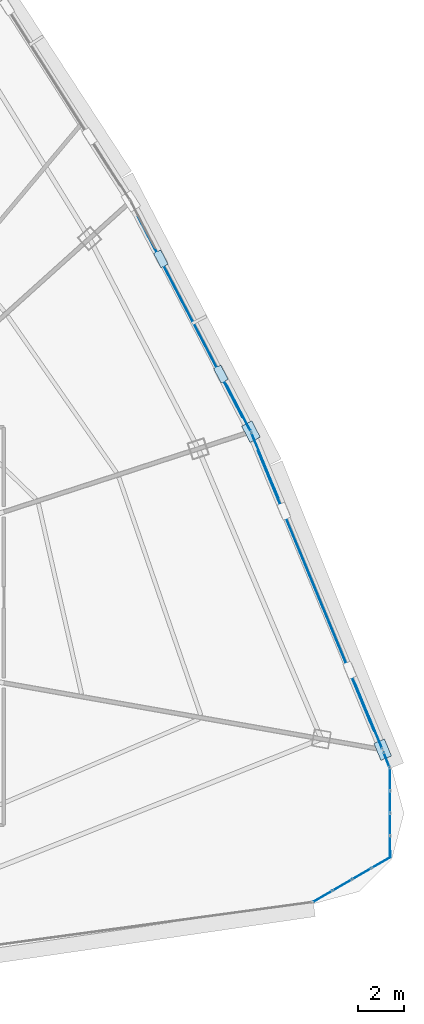
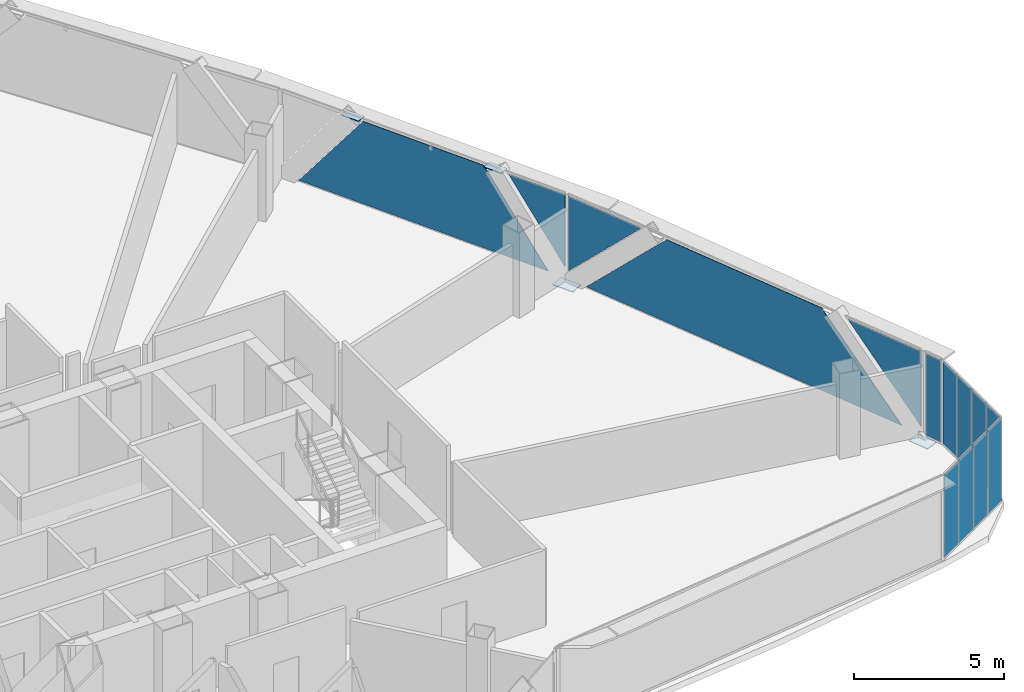
# One storey, part 32 of 40: 18 plates, 5 elements without a shape of their own.
"""IFC4 building model written with IfcOpenShell, lengths in metres."""

from ifc_helpers import new_model, si_unit, direction, frame, origin, origin_2d, place, context, subcontext, project, spatial, polyline, rectangle, outline, extrude, source, transform, mapped, material, layer, layer_set, type_object, element, aggregate, save


model = new_model("IFC4")

# Units and contexts
model_context = context("Model", 3, precision=1e-05, world=origin(), true_north=direction((0.0, 1.0)))
body_context = subcontext(model_context, "Body", "Model", "MODEL_VIEW")
ifc_project = project(units=[si_unit("LENGTHUNIT", "METRE"), si_unit("AREAUNIT", "SQUARE_METRE"), si_unit("VOLUMEUNIT", "CUBIC_METRE"), si_unit("PLANEANGLEUNIT", "RADIAN"), si_unit("MASSUNIT", "GRAM", prefix="KILO"), si_unit("THERMODYNAMICTEMPERATUREUNIT", "KELVIN"), si_unit("POWERUNIT", "WATT")], contexts=[model_context])

# Site, building, storey
site_placement = place(None, origin())
site = spatial("IfcSite", under=ifc_project, at=site_placement, CompositionType="ELEMENT")
building_placement = place(site_placement, origin())
building = spatial("IfcBuilding", under=site, at=building_placement, Name="Yunzhuo Pagoda Commons", CompositionType="ELEMENT")
storey_placement = place(building_placement, frame((0.0, 0.0, 288.75)))
storey = spatial("IfcBuildingStorey", under=building, at=storey_placement, Name="L72", CompositionType="ELEMENT", Elevation=288.75)

# Curtain wall, plates
ifc_material_1 = material(Name="Anodized aluminium 6063-T6", Category="aluminium")
ifc_layer_1 = layer(ifc_material_1, 0.139892578125)
ifc_layer_set_1 = layer_set([ifc_layer_1], Name="Anodized aluminium 6063-T6")
curtain_wall_type_1 = type_object("IfcCurtainWallType", Name="CW-HI High-Zone Ribbon Curtain Wall", PredefinedType="NOTDEFINED", material=ifc_layer_set_1)
curtain_wall_1_placement = place(storey_placement, origin())
curtain_wall_1 = element("IfcCurtainWall", 1, at=curtain_wall_1_placement, inside=storey, type_object=curtain_wall_type_1, Name="L72 curtain wall CW-L72-F2B2", PredefinedType="NOTDEFINED")
ifc_material_2 = material(Name="Tempered low-e double glazing", Category="glass")
ifc_layer_2 = layer(ifc_material_2, 0.02587890625)
ifc_layer_set_2 = layer_set([ifc_layer_2], Name="Tempered low-e double glazing")
plate_type_1 = type_object("IfcPlateType", Name="CW-HI-P Low-E Double Glazing 26", PredefinedType="CURTAIN_PANEL", material=ifc_layer_set_2)
plate_1_placement = place(storey_placement, frame((78.704345703125, 29.65380859375, 1.87548828125), z_axis=(0.923899046183, 0.382636318796, 0.0), x_axis=(-0.382636318796, 0.923899046183, 0.0)))
plate_1 = element("IfcPlate", 2, at=plate_1_placement, type_object=plate_type_1, Name="CW panel 1.1 lite 1", PredefinedType="CURTAIN_PANEL", context=body_context, shape_type="SweptSolid", body=[
    extrude(outline(polyline([(-1.5458984375, -1.53955078125), (1.5458984375, 1.53955078125), (-1.5458984375, 1.53955078125), (-1.5458984375, -1.53955078125)])), origin(), (0.0, 0.0, 1.0), 0.028076171875),
])
plate_2_placement = place(storey_placement, frame((76.4248046875, 35.079833984375, 1.735107421875), z_axis=(0.923899046183, 0.382636318796, 0.0), x_axis=(-0.382636318796, 0.923899046183, 0.0)))
plate_2 = element("IfcPlate", 3, at=plate_2_placement, type_object=plate_type_1, Name="CW panel 1.1 lite 2", PredefinedType="CURTAIN_PANEL", context=body_context, shape_type="SweptSolid", body=[
    extrude(outline(polyline([(-6.636474609375, -1.679931640625), (6.636474609375, -1.679931640625), (3.26220703125, 1.679931640625), (-3.26220703125, 1.679931640625), (-6.636474609375, -1.679931640625)])), origin(), (0.0, 0.0, 1.0), 0.028076171875),
])
plate_3_placement = place(storey_placement, frame((74.200439453125, 40.528564453125, 1.87548828125), z_axis=(0.923899046183, 0.382636318796, 0.0), x_axis=(-0.382636318796, 0.923899046183, 0.0)))
plate_3 = element("IfcPlate", 4, at=plate_3_placement, type_object=plate_type_1, Name="CW panel 1.1 lite 3", PredefinedType="CURTAIN_PANEL", context=body_context, shape_type="SweptSolid", body=[
    extrude(outline(polyline([(-1.5458984375, 1.53955078125), (1.5458984375, -1.53955078125), (1.5458984375, 1.53955078125), (-1.5458984375, 1.53955078125)])), origin(), (0.0, 0.0, 1.0), 0.028076171875),
])
aggregate(curtain_wall_1, [plate_1, plate_2, plate_3])

curtain_wall_2_placement = place(storey_placement, origin())
curtain_wall_2 = element("IfcCurtainWall", 5, at=curtain_wall_2_placement, inside=storey, type_object=curtain_wall_type_1, Name="L72 curtain wall CW-L72-F2B3", PredefinedType="NOTDEFINED")
plate_4_placement = place(storey_placement, frame((73.039306640625, 43.060791015625, 1.931640625), z_axis=(0.886761092291, 0.462228044582, 0.0), x_axis=(-0.462228044582, 0.886761092291, 0.0)))
plate_4 = element("IfcPlate", 6, at=plate_4_placement, type_object=plate_type_1, Name="CW panel 1.1 lite 1", PredefinedType="CURTAIN_PANEL", context=body_context, shape_type="SweptSolid", body=[
    extrude(outline(polyline([(-1.1240234375, -1.4833984375), (1.1240234375, 1.4833984375), (-1.1240234375, 1.4833984375), (-1.1240234375, -1.4833984375)])), origin(), (0.0, 0.0, 1.0), 0.028076171875),
])
plate_5_placement = place(storey_placement, frame((70.94677734375, 47.01025390625, 1.735107421875), z_axis=(0.886761092291, 0.462228044582, 0.0), x_axis=(-0.462228044582, 0.886761092291, 0.0)))
plate_5 = element("IfcPlate", 7, at=plate_5_placement, type_object=plate_type_1, Name="CW panel 1.1 lite 2", PredefinedType="CURTAIN_PANEL", context=body_context, shape_type="SweptSolid", body=[
    extrude(outline(polyline([(-4.937744140625, -1.679931640625), (4.937744140625, -1.679931640625), (2.3916015625, 1.679931640625), (-2.3916015625, 1.679931640625), (-4.937744140625, -1.679931640625)])), origin(), (0.0, 0.0, 1.0), 0.028076171875),
])
aggregate(curtain_wall_2, [plate_4, plate_5])

# Plates
ifc_material_3 = material(Name="Structural steel Q355B", Category="steel")
ifc_layer_3 = layer(ifc_material_3, 0.028076171875)
ifc_layer_set_3 = layer_set([ifc_layer_3], Name="Structural steel Q355B")
plate_type_2 = type_object("IfcPlateType", Name="SP-ND1 Lattice Node Cap Plate 800x500x28", PredefinedType="USERDEFINED", material=ifc_layer_set_3)
shared_shape_1 = source(origin(), body_context, "Body", "SweptSolid", [
    extrude(rectangle(XDim=0.800048828125, YDim=0.5, at=origin_2d()), origin(), (0.0, 0.0, 1.0), 0.028076171875),
])
for number, where, z_axis, x_axis, name in (
    (8, (79.331787109375, 28.17529296875, -0.27392578125), (0.0, 0.0, 1.0), (-0.382635057621, 0.923899568503, 0.0), "L72 diamond node plate F2.1A"),
    (9, (73.59912109375, 42.017578125, -0.27392578125), (0.0, 0.0, 1.0), (-0.462228464672, 0.886760873318, 0.0), "L72 diamond node plate F2.2A"),
):
    element("IfcPlate", number, at=place(storey_placement, frame(where, z_axis=z_axis, x_axis=x_axis)), inside=storey, type_object=plate_type_2, Name=name, ObjectType="STIFFENER_PLATE", PredefinedType="USERDEFINED", context=body_context, shape_type="MappedRepresentation", body=[
        mapped(shared_shape_1, transform((0.0, 0.0, 0.0), scale=1.0)),
    ])
shared_shape_2 = source(origin(), body_context, "Body", "SweptSolid", [
    extrude(rectangle(XDim=0.699951171875, YDim=0.35009765625, at=origin_2d()), origin(), (0.0, 0.0, 1.0), 0.035888671875),
])
for number, where, z_axis, x_axis, name in (
    (10, (72.29248046875, 44.524169921875, 3.43212890625), (0.0, 0.0, 1.0), (-0.462228464672, 0.886760873318, 0.0), "L72 setback lattice tie plate F2.2L"),
    (11, (69.67919921875, 49.537353515625, 3.43212890625), (0.0, 0.0, 1.0), (-0.462228464672, 0.886760873318, 0.0), "L72 setback lattice tie plate F2.2R"),
):
    element("IfcPlate", number, at=place(storey_placement, frame(where, z_axis=z_axis, x_axis=x_axis)), inside=storey, type_object=plate_type_2, Name=name, ObjectType="STIFFENER_PLATE", PredefinedType="USERDEFINED", context=body_context, shape_type="MappedRepresentation", body=[
        mapped(shared_shape_2, transform((0.0, 0.0, 0.0), scale=1.0)),
    ])

# Curtain wall, plate
curtain_wall_3_placement = place(storey_placement, origin())
curtain_wall_3 = element("IfcCurtainWall", 12, at=curtain_wall_3_placement, inside=storey, type_object=curtain_wall_type_1, Name="L72 curtain wall CW-L72-F2B1", PredefinedType="NOTDEFINED")
shared_shape_3 = source(origin(), body_context, "Body", "SweptSolid", [
    extrude(rectangle(XDim=0.6689453125, YDim=0.028076171875, at=origin_2d()), origin(), (0.0, 0.0, 1.0), 3.360107421875),
])
plate_6_placement = place(storey_placement, frame((79.501953125, 27.73779296875, 0.05517578125), z_axis=(0.0, 0.0, 1.0), x_axis=(-0.36265423017, 0.931923767987, 0.0)))
plate_6 = element("IfcPlate", 13, at=plate_6_placement, type_object=plate_type_1, Name="CW panel 1.1", PredefinedType="CURTAIN_PANEL", context=body_context, shape_type="MappedRepresentation", body=[
    mapped(shared_shape_3, transform((0.0, 0.0, 0.0), scale=1.0)),
])
aggregate(curtain_wall_3, [plate_6])

# Curtain wall, plates
ifc_layer_4 = layer(ifc_material_1, 0.1298828125)
ifc_layer_set_4 = layer_set([ifc_layer_4], Name="Anodized aluminium 6063-T6")
curtain_wall_type_2 = type_object("IfcCurtainWallType", Name="CW-VTX Rounded Corner Curtain Wall", PredefinedType="NOTDEFINED", material=ifc_layer_set_4)
curtain_wall_4_placement = place(storey_placement, origin())
curtain_wall_4 = element("IfcCurtainWall", 14, at=curtain_wall_4_placement, inside=storey, type_object=curtain_wall_type_2, Name="L72 curtain wall CW-L72-VTX2S1", PredefinedType="NOTDEFINED")
ifc_layer_5 = layer(ifc_material_2, 0.02587890625)
ifc_layer_set_5 = layer_set([ifc_layer_5], Name="Tempered low-e double glazing")
plate_type_3 = type_object("IfcPlateType", Name="CW-VTX-P Low-E Double Glazing 26", PredefinedType="CURTAIN_PANEL", material=ifc_layer_set_5)
shared_shape_4 = source(origin(), body_context, "Body", "SweptSolid", [
    extrude(rectangle(XDim=0.8994140625, YDim=0.028076171875, at=origin_2d()), origin(), (0.0, 0.0, 1.0), 3.360107421875),
])
plate_7_placement = place(storey_placement, frame((76.73681640625, 21.79736328125, 0.05517578125), z_axis=(0.0, 0.0, 1.0), x_axis=(0.86543732532, 0.501017201245, 0.0)))
plate_7 = element("IfcPlate", 15, at=plate_7_placement, type_object=plate_type_3, Name="CW panel 1.1", PredefinedType="CURTAIN_PANEL", context=body_context, shape_type="MappedRepresentation", body=[
    mapped(shared_shape_4, transform((0.0, 0.0, 0.0), scale=1.0)),
])
plate_8_placement = place(storey_placement, frame((79.26220703125, 23.25927734375, 0.05517578125), z_axis=(0.0, 0.0, 1.0), x_axis=(0.86543732532, 0.501017201245, 0.0)))
plate_8 = element("IfcPlate", 16, at=plate_8_placement, type_object=plate_type_3, Name="CW panel 4.1", PredefinedType="CURTAIN_PANEL", context=body_context, shape_type="MappedRepresentation", body=[
    mapped(shared_shape_4, transform((0.0, 0.0, 0.0), scale=1.0)),
])

curtain_wall_5_placement = place(storey_placement, origin())
curtain_wall_5 = element("IfcCurtainWall", 17, at=curtain_wall_5_placement, inside=storey, type_object=curtain_wall_type_2, Name="L72 curtain wall CW-L72-VTX2S2", PredefinedType="NOTDEFINED")
plate_9_placement = place(storey_placement, frame((79.657470703125, 23.947509765625, 0.05517578125), z_axis=(0.0, 0.0, 1.0), x_axis=(-0.003589955472, 0.999993556089, 0.0)))
plate_9 = element("IfcPlate", 18, at=plate_9_placement, type_object=plate_type_3, Name="CW panel 1.1", PredefinedType="CURTAIN_PANEL", context=body_context, shape_type="MappedRepresentation", body=[
    mapped(shared_shape_4, transform((0.0, 0.0, 0.0), scale=1.0)),
])
plate_10_placement = place(storey_placement, frame((79.64697265625, 26.865478515625, 0.05517578125), z_axis=(0.0, 0.0, 1.0), x_axis=(-0.003589955472, 0.999993556089, 0.0)))
plate_10 = element("IfcPlate", 19, at=plate_10_placement, type_object=plate_type_3, Name="CW panel 4.1", PredefinedType="CURTAIN_PANEL", context=body_context, shape_type="MappedRepresentation", body=[
    mapped(shared_shape_4, transform((0.0, 0.0, 0.0), scale=1.0)),
])

# Plate
shared_shape_5 = source(origin(), body_context, "Body", "SweptSolid", [
    extrude(rectangle(XDim=0.927001953125, YDim=0.028076171875, at=origin_2d()), origin(), (0.0, 0.0, 1.0), 3.360107421875),
])
plate_11_placement = place(storey_placement, frame((77.57470703125, 22.2822265625, 0.05517578125), z_axis=(0.0, 0.0, 1.0), x_axis=(0.86543732532, 0.501017201245, 0.0)))
plate_11 = element("IfcPlate", 20, at=plate_11_placement, type_object=plate_type_3, Name="CW panel 2.1", PredefinedType="CURTAIN_PANEL", context=body_context, shape_type="MappedRepresentation", body=[
    mapped(shared_shape_5, transform((0.0, 0.0, 0.0), scale=1.0)),
])

plate_12_placement = place(storey_placement, frame((78.42431640625, 22.774169921875, 0.05517578125), z_axis=(0.0, 0.0, 1.0), x_axis=(0.86543732532, 0.501017201245, 0.0)))
plate_12 = element("IfcPlate", 21, at=plate_12_placement, type_object=plate_type_3, Name="CW panel 3.1", PredefinedType="CURTAIN_PANEL", context=body_context, shape_type="MappedRepresentation", body=[
    mapped(shared_shape_5, transform((0.0, 0.0, 0.0), scale=1.0)),
])

aggregate(curtain_wall_4, [plate_7, plate_11, plate_12, plate_8])

plate_13_placement = place(storey_placement, frame((79.65380859375, 24.91552734375, 0.05517578125), z_axis=(0.0, 0.0, 1.0), x_axis=(-0.003589955472, 0.999993556089, 0.0)))
plate_13 = element("IfcPlate", 22, at=plate_13_placement, type_object=plate_type_3, Name="CW panel 2.1", PredefinedType="CURTAIN_PANEL", context=body_context, shape_type="MappedRepresentation", body=[
    mapped(shared_shape_5, transform((0.0, 0.0, 0.0), scale=1.0)),
])

plate_14_placement = place(storey_placement, frame((79.650390625, 25.8974609375, 0.05517578125), z_axis=(0.0, 0.0, 1.0), x_axis=(-0.003589955472, 0.999993556089, 0.0)))
plate_14 = element("IfcPlate", 23, at=plate_14_placement, type_object=plate_type_3, Name="CW panel 3.1", PredefinedType="CURTAIN_PANEL", context=body_context, shape_type="MappedRepresentation", body=[
    mapped(shared_shape_5, transform((0.0, 0.0, 0.0), scale=1.0)),
])

aggregate(curtain_wall_5, [plate_9, plate_13, plate_14, plate_10])

save(model, "model.ifc")
